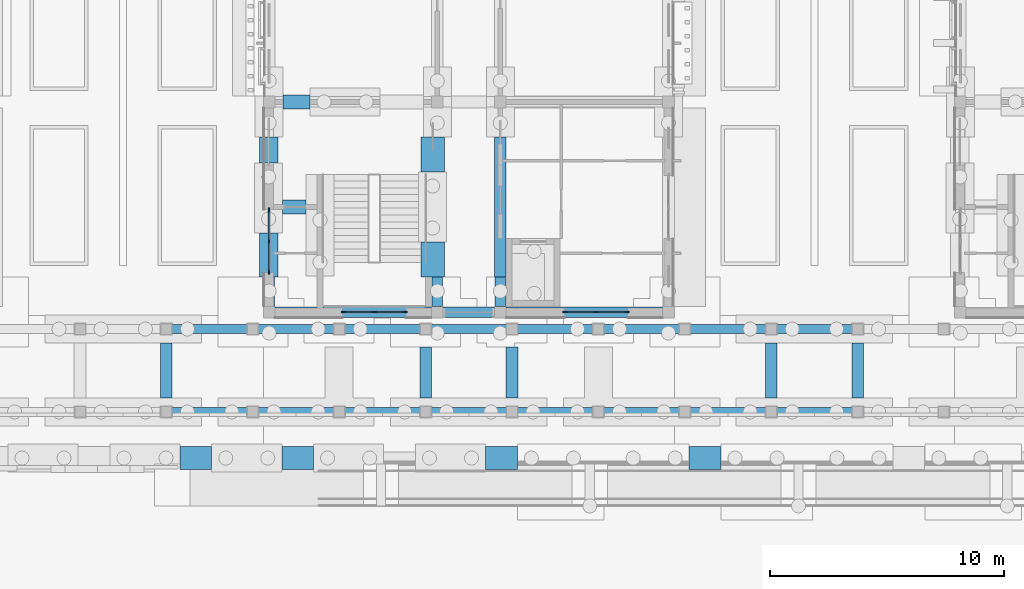
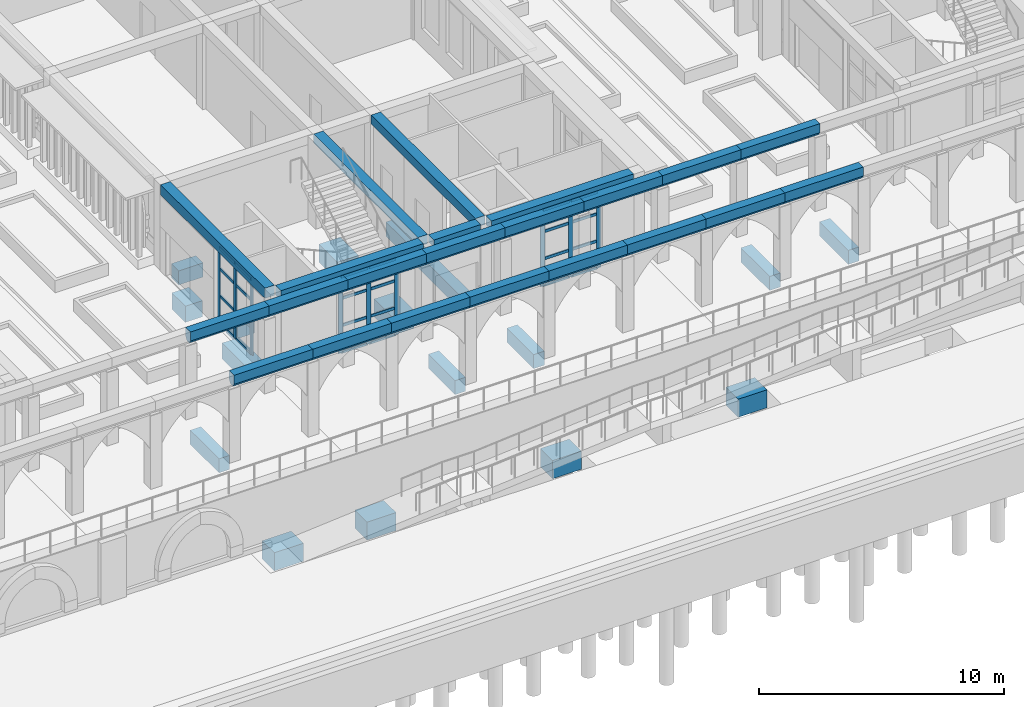
# One storey, part 31 of 161: 38 beams, 33 members, 3 elements without a shape of their own.
"""IFC4 building model written with IfcOpenShell, lengths in metres."""

from ifc_helpers import new_model, si_unit, direction, frame, origin, origin_2d, place, context, subcontext, project, spatial, polyline, rectangle, outline, extrude, material, layer, layer_set, material_profile, profile_set, type_object, element, aggregate, save


model = new_model("IFC4")

# Units and contexts
model_context = context("Model", 3, precision=1e-05, world=origin(), true_north=direction((0.0, 1.0)))
body_context = subcontext(model_context, "Body", "Model", "MODEL_VIEW")
ifc_project = project(units=[si_unit("LENGTHUNIT", "METRE"), si_unit("AREAUNIT", "SQUARE_METRE"), si_unit("VOLUMEUNIT", "CUBIC_METRE"), si_unit("PLANEANGLEUNIT", "RADIAN"), si_unit("MASSUNIT", "GRAM", prefix="KILO")], contexts=[model_context])

# Site, building, storey
site_placement = place(None, origin())
site = spatial("IfcSite", under=ifc_project, at=site_placement, CompositionType="ELEMENT")
building_placement = place(site_placement, origin())
building = spatial("IfcBuilding", under=site, at=building_placement, Name="Elbe Cascade School", CompositionType="ELEMENT")
storey_placement = place(building_placement, origin())
storey = spatial("IfcBuildingStorey", under=building, at=storey_placement, Name="L00", CompositionType="ELEMENT", Elevation=0.0)

# Curtain wall, members
ifc_material_1 = material(Name="Aluminium frame with double glazing, bronze anodised", Category="aluminium")
ifc_layer = layer(ifc_material_1, 0.199951171875)
ifc_layer_set = layer_set([ifc_layer], Name="Aluminium frame with double glazing, bronze anodised")
curtain_wall_type = type_object("IfcCurtainWallType", Name="Bars envelope Curtain wall, aluminium, bronze anodised, ground floor tall run", PredefinedType="NOTDEFINED", material=ifc_layer_set)
curtain_wall_1_placement = place(storey_placement, origin())
curtain_wall_1 = element("IfcCurtainWall", 1, at=curtain_wall_1_placement, inside=storey, type_object=curtain_wall_type, Name="Curtain wall CW3 C.L00.w1", PredefinedType="NOTDEFINED")
ifc_material_2 = material(Name="Aluminium mullion, bronze anodised", Category="aluminium")
ifc_material_profile_1 = material_profile(ifc_material_2, rectangle(XDim=0.06005859375, YDim=0.199951171875, at=origin_2d()), Name="Bars envelope Curtain wall mullion 60 x 200, aluminium, ground floor tall run")
ifc_profile_set_1 = profile_set([ifc_material_profile_1], Name="Aluminium mullion, bronze anodised")
member_type_1 = type_object("IfcMemberType", Name="Bars envelope Curtain wall mullion 60 x 200, aluminium, ground floor tall run", PredefinedType="MULLION", material=ifc_profile_set_1)
member_1_placement = place(storey_placement, frame((128.199951171875, 7.719970703125, 0.0), z_axis=(0.0, 0.0, 1.0), x_axis=(-1.0, 0.0, 0.0)))
member_1 = element("IfcMember", 2, at=member_1_placement, type_object=member_type_1, Name="CW3 mullion 1", PredefinedType="MULLION", context=body_context, shape_type="SweptSolid", body=[
    extrude(rectangle(XDim=0.06005859375, YDim=0.199951171875, at=origin_2d()), origin(), (0.0, 0.0, 1.0), 3.75),
])
member_2_placement = place(storey_placement, frame((128.199951171875, 9.0400390625, 0.0), z_axis=(0.0, 0.0, 1.0), x_axis=(-1.0, 0.0, 0.0)))
member_2 = element("IfcMember", 3, at=member_2_placement, type_object=member_type_1, Name="CW3 mullion 2", PredefinedType="MULLION", context=body_context, shape_type="SweptSolid", body=[
    extrude(rectangle(XDim=0.06005859375, YDim=0.199951171875, at=origin_2d()), origin(), (0.0, 0.0, 1.0), 3.75),
])
member_3_placement = place(storey_placement, frame((128.199951171875, 10.360107421875, 0.0), z_axis=(0.0, 0.0, 1.0), x_axis=(-1.0, 0.0, 0.0)))
member_3 = element("IfcMember", 4, at=member_3_placement, type_object=member_type_1, Name="CW3 mullion 3", PredefinedType="MULLION", context=body_context, shape_type="SweptSolid", body=[
    extrude(rectangle(XDim=0.06005859375, YDim=0.199951171875, at=origin_2d()), origin(), (0.0, 0.0, 1.0), 3.75),
])

curtain_wall_2_placement = place(storey_placement, origin())
curtain_wall_2 = element("IfcCurtainWall", 5, at=curtain_wall_2_placement, inside=storey, type_object=curtain_wall_type, Name="Curtain wall CW3 C.L00.s1", PredefinedType="NOTDEFINED")
member_4_placement = place(storey_placement, frame((134.02001953125, 6.0, 0.0), z_axis=(0.0, 0.0, 1.0), x_axis=(0.0, -1.0, 0.0)))
member_4 = element("IfcMember", 6, at=member_4_placement, type_object=member_type_1, Name="CW3 mullion 1", PredefinedType="MULLION", context=body_context, shape_type="SweptSolid", body=[
    extrude(rectangle(XDim=0.06005859375, YDim=0.199951171875, at=origin_2d()), origin(), (0.0, 0.0, 1.0), 3.800048828125),
])
member_5_placement = place(storey_placement, frame((132.699951171875, 6.0, 0.0), z_axis=(0.0, 0.0, 1.0), x_axis=(0.0, -1.0, 0.0)))
member_5 = element("IfcMember", 7, at=member_5_placement, type_object=member_type_1, Name="CW3 mullion 2", PredefinedType="MULLION", context=body_context, shape_type="SweptSolid", body=[
    extrude(rectangle(XDim=0.06005859375, YDim=0.199951171875, at=origin_2d()), origin(), (0.0, 0.0, 1.0), 3.800048828125),
])
member_6_placement = place(storey_placement, frame((131.3798828125, 6.0, 0.0), z_axis=(0.0, 0.0, 1.0), x_axis=(0.0, -1.0, 0.0)))
member_6 = element("IfcMember", 8, at=member_6_placement, type_object=member_type_1, Name="CW3 mullion 3", PredefinedType="MULLION", context=body_context, shape_type="SweptSolid", body=[
    extrude(rectangle(XDim=0.06005859375, YDim=0.199951171875, at=origin_2d()), origin(), (0.0, 0.0, 1.0), 3.800048828125),
])

curtain_wall_3_placement = place(storey_placement, origin())
curtain_wall_3 = element("IfcCurtainWall", 9, at=curtain_wall_3_placement, inside=storey, type_object=curtain_wall_type, Name="Curtain wall CW3 C.L00.s3", PredefinedType="NOTDEFINED")
member_7_placement = place(storey_placement, frame((143.52001953125, 6.0, 0.0), z_axis=(0.0, 0.0, 1.0), x_axis=(0.0, -1.0, 0.0)))
member_7 = element("IfcMember", 10, at=member_7_placement, type_object=member_type_1, Name="CW3 mullion 1", PredefinedType="MULLION", context=body_context, shape_type="SweptSolid", body=[
    extrude(rectangle(XDim=0.06005859375, YDim=0.199951171875, at=origin_2d()), origin(), (0.0, 0.0, 1.0), 3.800048828125),
])
member_8_placement = place(storey_placement, frame((142.199951171875, 6.0, 0.0), z_axis=(0.0, 0.0, 1.0), x_axis=(0.0, -1.0, 0.0)))
member_8 = element("IfcMember", 11, at=member_8_placement, type_object=member_type_1, Name="CW3 mullion 2", PredefinedType="MULLION", context=body_context, shape_type="SweptSolid", body=[
    extrude(rectangle(XDim=0.06005859375, YDim=0.199951171875, at=origin_2d()), origin(), (0.0, 0.0, 1.0), 3.800048828125),
])
member_9_placement = place(storey_placement, frame((140.8798828125, 6.0, 0.0), z_axis=(0.0, 0.0, 1.0), x_axis=(0.0, -1.0, 0.0)))
member_9 = element("IfcMember", 12, at=member_9_placement, type_object=member_type_1, Name="CW3 mullion 3", PredefinedType="MULLION", context=body_context, shape_type="SweptSolid", body=[
    extrude(rectangle(XDim=0.06005859375, YDim=0.199951171875, at=origin_2d()), origin(), (0.0, 0.0, 1.0), 3.800048828125),
])

# Member
ifc_material_3 = material(Name="Aluminium transom, bronze anodised", Category="aluminium")
ifc_material_profile_2 = material_profile(ifc_material_3, rectangle(XDim=0.06005859375, YDim=0.139892578125, at=origin_2d()), Name="Bars envelope Curtain wall transom 60 x 140, aluminium, ground floor tall run")
ifc_profile_set_2 = profile_set([ifc_material_profile_2], Name="Aluminium transom, bronze anodised")
member_type_2 = type_object("IfcMemberType", Name="Bars envelope Curtain wall transom 60 x 140, aluminium, ground floor tall run", PredefinedType="USERDEFINED", material=ifc_profile_set_2)
member_10_placement = place(storey_placement, frame((128.199951171875, 7.75, 0.030029296875), z_axis=(0.0, 1.0, 0.0), x_axis=(-1.0, 0.0, 0.0)))
member_10 = element("IfcMember", 13, at=member_10_placement, type_object=member_type_2, Name="CW3 transom 1.1", ObjectType="TRANSOM", PredefinedType="USERDEFINED", context=body_context, shape_type="SweptSolid", body=[
    extrude(rectangle(XDim=0.06005859375, YDim=0.139892578125, at=origin_2d()), origin(), (0.0, 0.0, 1.0), 1.260009765625),
])

member_11_placement = place(storey_placement, frame((128.199951171875, 7.75, 1.35009765625), z_axis=(0.0, 1.0, 0.0), x_axis=(-1.0, 0.0, 0.0)))
member_11 = element("IfcMember", 14, at=member_11_placement, type_object=member_type_2, Name="CW3 transom 1.2", ObjectType="TRANSOM", PredefinedType="USERDEFINED", context=body_context, shape_type="SweptSolid", body=[
    extrude(rectangle(XDim=0.06005859375, YDim=0.139892578125, at=origin_2d()), origin(), (0.0, 0.0, 1.0), 1.260009765625),
])

member_12_placement = place(storey_placement, frame((128.199951171875, 7.75, 2.699951171875), z_axis=(0.0, 1.0, 0.0), x_axis=(-1.0, 0.0, 0.0)))
member_12 = element("IfcMember", 15, at=member_12_placement, type_object=member_type_2, Name="CW3 transom 1.3", ObjectType="TRANSOM", PredefinedType="USERDEFINED", context=body_context, shape_type="SweptSolid", body=[
    extrude(rectangle(XDim=0.06005859375, YDim=0.139892578125, at=origin_2d()), origin(), (0.0, 0.0, 1.0), 1.260009765625),
])

member_13_placement = place(storey_placement, frame((128.199951171875, 7.75, 3.719970703125), z_axis=(0.0, 1.0, 0.0), x_axis=(-1.0, 0.0, 0.0)))
member_13 = element("IfcMember", 16, at=member_13_placement, type_object=member_type_2, Name="CW3 transom 1.4", ObjectType="TRANSOM", PredefinedType="USERDEFINED", context=body_context, shape_type="SweptSolid", body=[
    extrude(rectangle(XDim=0.06005859375, YDim=0.139892578125, at=origin_2d()), origin(), (0.0, 0.0, 1.0), 1.260009765625),
])

member_14_placement = place(storey_placement, frame((128.199951171875, 9.070068359375, 0.030029296875), z_axis=(0.0, 1.0, 0.0), x_axis=(-1.0, 0.0, 0.0)))
member_14 = element("IfcMember", 17, at=member_14_placement, type_object=member_type_2, Name="CW3 transom 2.1", ObjectType="TRANSOM", PredefinedType="USERDEFINED", context=body_context, shape_type="SweptSolid", body=[
    extrude(rectangle(XDim=0.06005859375, YDim=0.139892578125, at=origin_2d()), origin(), (0.0, 0.0, 1.0), 1.260009765625),
])

member_15_placement = place(storey_placement, frame((128.199951171875, 9.070068359375, 1.35009765625), z_axis=(0.0, 1.0, 0.0), x_axis=(-1.0, 0.0, 0.0)))
member_15 = element("IfcMember", 18, at=member_15_placement, type_object=member_type_2, Name="CW3 transom 2.2", ObjectType="TRANSOM", PredefinedType="USERDEFINED", context=body_context, shape_type="SweptSolid", body=[
    extrude(rectangle(XDim=0.06005859375, YDim=0.139892578125, at=origin_2d()), origin(), (0.0, 0.0, 1.0), 1.260009765625),
])

member_16_placement = place(storey_placement, frame((128.199951171875, 9.070068359375, 2.699951171875), z_axis=(0.0, 1.0, 0.0), x_axis=(-1.0, 0.0, 0.0)))
member_16 = element("IfcMember", 19, at=member_16_placement, type_object=member_type_2, Name="CW3 transom 2.3", ObjectType="TRANSOM", PredefinedType="USERDEFINED", context=body_context, shape_type="SweptSolid", body=[
    extrude(rectangle(XDim=0.06005859375, YDim=0.139892578125, at=origin_2d()), origin(), (0.0, 0.0, 1.0), 1.260009765625),
])

member_17_placement = place(storey_placement, frame((128.199951171875, 9.070068359375, 3.719970703125), z_axis=(0.0, 1.0, 0.0), x_axis=(-1.0, 0.0, 0.0)))
member_17 = element("IfcMember", 20, at=member_17_placement, type_object=member_type_2, Name="CW3 transom 2.4", ObjectType="TRANSOM", PredefinedType="USERDEFINED", context=body_context, shape_type="SweptSolid", body=[
    extrude(rectangle(XDim=0.06005859375, YDim=0.139892578125, at=origin_2d()), origin(), (0.0, 0.0, 1.0), 1.260009765625),
])

aggregate(curtain_wall_1, [member_1, member_2, member_3, member_10, member_11, member_12, member_13, member_14, member_15, member_16, member_17])

member_18_placement = place(storey_placement, frame((133.989990234375, 6.0, 0.030029296875), z_axis=(-1.0, 0.0, 0.0), x_axis=(0.0, -1.0, 0.0)))
member_18 = element("IfcMember", 21, at=member_18_placement, type_object=member_type_2, Name="CW3 transom 1.1", ObjectType="TRANSOM", PredefinedType="USERDEFINED", context=body_context, shape_type="SweptSolid", body=[
    extrude(rectangle(XDim=0.06005859375, YDim=0.139892578125, at=origin_2d()), origin(), (0.0, 0.0, 1.0), 1.260009765625),
])

member_19_placement = place(storey_placement, frame((133.989990234375, 6.0, 1.35009765625), z_axis=(-1.0, 0.0, 0.0), x_axis=(0.0, -1.0, 0.0)))
member_19 = element("IfcMember", 22, at=member_19_placement, type_object=member_type_2, Name="CW3 transom 1.2", ObjectType="TRANSOM", PredefinedType="USERDEFINED", context=body_context, shape_type="SweptSolid", body=[
    extrude(rectangle(XDim=0.06005859375, YDim=0.139892578125, at=origin_2d()), origin(), (0.0, 0.0, 1.0), 1.260009765625),
])

member_20_placement = place(storey_placement, frame((133.989990234375, 6.0, 2.699951171875), z_axis=(-1.0, 0.0, 0.0), x_axis=(0.0, -1.0, 0.0)))
member_20 = element("IfcMember", 23, at=member_20_placement, type_object=member_type_2, Name="CW3 transom 1.3", ObjectType="TRANSOM", PredefinedType="USERDEFINED", context=body_context, shape_type="SweptSolid", body=[
    extrude(rectangle(XDim=0.06005859375, YDim=0.139892578125, at=origin_2d()), origin(), (0.0, 0.0, 1.0), 1.260009765625),
])

member_21_placement = place(storey_placement, frame((133.989990234375, 6.0, 3.77001953125), z_axis=(-1.0, 0.0, 0.0), x_axis=(0.0, -1.0, 0.0)))
member_21 = element("IfcMember", 24, at=member_21_placement, type_object=member_type_2, Name="CW3 transom 1.4", ObjectType="TRANSOM", PredefinedType="USERDEFINED", context=body_context, shape_type="SweptSolid", body=[
    extrude(rectangle(XDim=0.06005859375, YDim=0.139892578125, at=origin_2d()), origin(), (0.0, 0.0, 1.0), 1.260009765625),
])

member_22_placement = place(storey_placement, frame((132.669921875, 6.0, 0.030029296875), z_axis=(-1.0, 0.0, 0.0), x_axis=(0.0, -1.0, 0.0)))
member_22 = element("IfcMember", 25, at=member_22_placement, type_object=member_type_2, Name="CW3 transom 2.1", ObjectType="TRANSOM", PredefinedType="USERDEFINED", context=body_context, shape_type="SweptSolid", body=[
    extrude(rectangle(XDim=0.06005859375, YDim=0.139892578125, at=origin_2d()), origin(), (0.0, 0.0, 1.0), 1.260009765625),
])

member_23_placement = place(storey_placement, frame((132.669921875, 6.0, 1.35009765625), z_axis=(-1.0, 0.0, 0.0), x_axis=(0.0, -1.0, 0.0)))
member_23 = element("IfcMember", 26, at=member_23_placement, type_object=member_type_2, Name="CW3 transom 2.2", ObjectType="TRANSOM", PredefinedType="USERDEFINED", context=body_context, shape_type="SweptSolid", body=[
    extrude(rectangle(XDim=0.06005859375, YDim=0.139892578125, at=origin_2d()), origin(), (0.0, 0.0, 1.0), 1.260009765625),
])

member_24_placement = place(storey_placement, frame((132.669921875, 6.0, 2.699951171875), z_axis=(-1.0, 0.0, 0.0), x_axis=(0.0, -1.0, 0.0)))
member_24 = element("IfcMember", 27, at=member_24_placement, type_object=member_type_2, Name="CW3 transom 2.3", ObjectType="TRANSOM", PredefinedType="USERDEFINED", context=body_context, shape_type="SweptSolid", body=[
    extrude(rectangle(XDim=0.06005859375, YDim=0.139892578125, at=origin_2d()), origin(), (0.0, 0.0, 1.0), 1.260009765625),
])

member_25_placement = place(storey_placement, frame((132.669921875, 6.0, 3.77001953125), z_axis=(-1.0, 0.0, 0.0), x_axis=(0.0, -1.0, 0.0)))
member_25 = element("IfcMember", 28, at=member_25_placement, type_object=member_type_2, Name="CW3 transom 2.4", ObjectType="TRANSOM", PredefinedType="USERDEFINED", context=body_context, shape_type="SweptSolid", body=[
    extrude(rectangle(XDim=0.06005859375, YDim=0.139892578125, at=origin_2d()), origin(), (0.0, 0.0, 1.0), 1.260009765625),
])

aggregate(curtain_wall_2, [member_4, member_5, member_6, member_18, member_19, member_20, member_21, member_22, member_23, member_24, member_25])

member_26_placement = place(storey_placement, frame((143.489990234375, 6.0, 0.030029296875), z_axis=(-1.0, 0.0, 0.0), x_axis=(0.0, -1.0, 0.0)))
member_26 = element("IfcMember", 29, at=member_26_placement, type_object=member_type_2, Name="CW3 transom 1.1", ObjectType="TRANSOM", PredefinedType="USERDEFINED", context=body_context, shape_type="SweptSolid", body=[
    extrude(rectangle(XDim=0.06005859375, YDim=0.139892578125, at=origin_2d()), origin(), (0.0, 0.0, 1.0), 1.260009765625),
])

member_27_placement = place(storey_placement, frame((143.489990234375, 6.0, 1.35009765625), z_axis=(-1.0, 0.0, 0.0), x_axis=(0.0, -1.0, 0.0)))
member_27 = element("IfcMember", 30, at=member_27_placement, type_object=member_type_2, Name="CW3 transom 1.2", ObjectType="TRANSOM", PredefinedType="USERDEFINED", context=body_context, shape_type="SweptSolid", body=[
    extrude(rectangle(XDim=0.06005859375, YDim=0.139892578125, at=origin_2d()), origin(), (0.0, 0.0, 1.0), 1.260009765625),
])

member_28_placement = place(storey_placement, frame((143.489990234375, 6.0, 2.699951171875), z_axis=(-1.0, 0.0, 0.0), x_axis=(0.0, -1.0, 0.0)))
member_28 = element("IfcMember", 31, at=member_28_placement, type_object=member_type_2, Name="CW3 transom 1.3", ObjectType="TRANSOM", PredefinedType="USERDEFINED", context=body_context, shape_type="SweptSolid", body=[
    extrude(rectangle(XDim=0.06005859375, YDim=0.139892578125, at=origin_2d()), origin(), (0.0, 0.0, 1.0), 1.260009765625),
])

member_29_placement = place(storey_placement, frame((143.489990234375, 6.0, 3.77001953125), z_axis=(-1.0, 0.0, 0.0), x_axis=(0.0, -1.0, 0.0)))
member_29 = element("IfcMember", 32, at=member_29_placement, type_object=member_type_2, Name="CW3 transom 1.4", ObjectType="TRANSOM", PredefinedType="USERDEFINED", context=body_context, shape_type="SweptSolid", body=[
    extrude(rectangle(XDim=0.06005859375, YDim=0.139892578125, at=origin_2d()), origin(), (0.0, 0.0, 1.0), 1.260009765625),
])

member_30_placement = place(storey_placement, frame((142.169921875, 6.0, 0.030029296875), z_axis=(-1.0, 0.0, 0.0), x_axis=(0.0, -1.0, 0.0)))
member_30 = element("IfcMember", 33, at=member_30_placement, type_object=member_type_2, Name="CW3 transom 2.1", ObjectType="TRANSOM", PredefinedType="USERDEFINED", context=body_context, shape_type="SweptSolid", body=[
    extrude(rectangle(XDim=0.06005859375, YDim=0.139892578125, at=origin_2d()), origin(), (0.0, 0.0, 1.0), 1.260009765625),
])

member_31_placement = place(storey_placement, frame((142.169921875, 6.0, 1.35009765625), z_axis=(-1.0, 0.0, 0.0), x_axis=(0.0, -1.0, 0.0)))
member_31 = element("IfcMember", 34, at=member_31_placement, type_object=member_type_2, Name="CW3 transom 2.2", ObjectType="TRANSOM", PredefinedType="USERDEFINED", context=body_context, shape_type="SweptSolid", body=[
    extrude(rectangle(XDim=0.06005859375, YDim=0.139892578125, at=origin_2d()), origin(), (0.0, 0.0, 1.0), 1.260009765625),
])

member_32_placement = place(storey_placement, frame((142.169921875, 6.0, 2.699951171875), z_axis=(-1.0, 0.0, 0.0), x_axis=(0.0, -1.0, 0.0)))
member_32 = element("IfcMember", 35, at=member_32_placement, type_object=member_type_2, Name="CW3 transom 2.3", ObjectType="TRANSOM", PredefinedType="USERDEFINED", context=body_context, shape_type="SweptSolid", body=[
    extrude(rectangle(XDim=0.06005859375, YDim=0.139892578125, at=origin_2d()), origin(), (0.0, 0.0, 1.0), 1.260009765625),
])

member_33_placement = place(storey_placement, frame((142.169921875, 6.0, 3.77001953125), z_axis=(-1.0, 0.0, 0.0), x_axis=(0.0, -1.0, 0.0)))
member_33 = element("IfcMember", 36, at=member_33_placement, type_object=member_type_2, Name="CW3 transom 2.4", ObjectType="TRANSOM", PredefinedType="USERDEFINED", context=body_context, shape_type="SweptSolid", body=[
    extrude(rectangle(XDim=0.06005859375, YDim=0.139892578125, at=origin_2d()), origin(), (0.0, 0.0, 1.0), 1.260009765625),
])

aggregate(curtain_wall_3, [member_7, member_8, member_9, member_26, member_27, member_28, member_29, member_30, member_31, member_32, member_33])

# Beams
ifc_material_4 = material(Name="Concrete C35/45", Category="concrete")
ifc_material_profile_3 = material_profile(ifc_material_4, outline(polyline([(-0.199951171875, 0.300048828125), (0.199951171875, 0.300048828125), (0.199951171875, -0.14990234375), (0.10009765625, -0.300048828125), (-0.10009765625, -0.300048828125), (-0.199951171875, -0.14990234375), (-0.199951171875, 0.300048828125)])), Name="RC arch 400x600")
ifc_profile_set_3 = profile_set([ifc_material_profile_3], Name="Concrete C35/45")
beam_type_1 = type_object("IfcBeamType", Name="Colonnade arch beam 400x600", PredefinedType="USERDEFINED", material=ifc_profile_set_3)
for number, where, z_axis, x_axis, name in (
    (37, (123.800048828125, 1.72509765625, 3.949951171875), (1.0, 0.0, 0.0), (0.0, 1.0, 0.0), "Colonnade arch beam F32"),
    (38, (127.5, 1.72509765625, 3.949951171875), (1.0, 0.0, 0.0), (0.0, 1.0, 0.0), "Colonnade arch beam F33"),
    (39, (131.199951171875, 1.72509765625, 3.949951171875), (1.0, 0.0, 0.0), (0.0, 1.0, 0.0), "Colonnade arch beam F34"),
):
    element("IfcBeam", number, at=place(storey_placement, frame(where, z_axis=z_axis, x_axis=x_axis)), inside=storey, type_object=beam_type_1, Name=name, ObjectType="ARCH", PredefinedType="USERDEFINED", context=body_context, shape_type="SweptSolid", body=[
        extrude(outline(polyline([(-0.199951171875, 0.300048828125), (0.199951171875, 0.300048828125), (0.199951171875, -0.14990234375), (0.10009765625, -0.300048828125), (-0.10009765625, -0.300048828125), (-0.199951171875, -0.14990234375), (-0.199951171875, 0.300048828125)])), origin(), (0.0, 0.0, 1.0), 3.699951171875),
    ])
beam_1_placement = place(storey_placement, frame((134.89990234375, 1.72509765625, 3.949951171875), z_axis=(1.0, 0.0, 0.0), x_axis=(0.0, 1.0, 0.0)))
element("IfcBeam", 40, at=beam_1_placement, inside=storey, type_object=beam_type_1, Name="Colonnade arch beam F35", ObjectType="ARCH", PredefinedType="USERDEFINED", context=body_context, shape_type="SweptSolid", body=[
    extrude(outline(polyline([(-0.199951171875, 0.300048828125), (0.199951171875, 0.300048828125), (0.199951171875, -0.14990234375), (0.10009765625, -0.300048828125), (-0.10009765625, -0.300048828125), (-0.199951171875, -0.14990234375), (-0.199951171875, 0.300048828125)])), origin(), (0.0, 0.0, 1.0), 3.7001953125),
])
for number, where, z_axis, x_axis, name in (
    (41, (138.60009765625, 1.72509765625, 3.949951171875), (1.0, 0.0, 0.0), (0.0, 1.0, 0.0), "Colonnade arch beam F36"),
    (42, (142.300048828125, 1.72509765625, 3.949951171875), (1.0, 0.0, 0.0), (0.0, 1.0, 0.0), "Colonnade arch beam F37"),
    (43, (146.0, 1.72509765625, 3.949951171875), (1.0, 0.0, 0.0), (0.0, 1.0, 0.0), "Colonnade arch beam F38"),
    (44, (149.699951171875, 1.72509765625, 3.949951171875), (1.0, 0.0, 0.0), (0.0, 1.0, 0.0), "Colonnade arch beam F39"),
    (45, (123.800048828125, 5.27490234375, 3.949951171875), (1.0, 0.0, 0.0), (0.0, 1.0, 0.0), "Colonnade arch beam R32"),
    (46, (127.5, 5.27490234375, 3.949951171875), (1.0, 0.0, 0.0), (0.0, 1.0, 0.0), "Colonnade arch beam R33"),
    (47, (131.199951171875, 5.27490234375, 3.949951171875), (1.0, 0.0, 0.0), (0.0, 1.0, 0.0), "Colonnade arch beam R34"),
):
    element("IfcBeam", number, at=place(storey_placement, frame(where, z_axis=z_axis, x_axis=x_axis)), inside=storey, type_object=beam_type_1, Name=name, ObjectType="ARCH", PredefinedType="USERDEFINED", context=body_context, shape_type="SweptSolid", body=[
        extrude(outline(polyline([(-0.199951171875, 0.300048828125), (0.199951171875, 0.300048828125), (0.199951171875, -0.14990234375), (0.10009765625, -0.300048828125), (-0.10009765625, -0.300048828125), (-0.199951171875, -0.14990234375), (-0.199951171875, 0.300048828125)])), origin(), (0.0, 0.0, 1.0), 3.699951171875),
    ])
beam_2_placement = place(storey_placement, frame((134.89990234375, 5.27490234375, 3.949951171875), z_axis=(1.0, 0.0, 0.0), x_axis=(0.0, 1.0, 0.0)))
element("IfcBeam", 48, at=beam_2_placement, inside=storey, type_object=beam_type_1, Name="Colonnade arch beam R35", ObjectType="ARCH", PredefinedType="USERDEFINED", context=body_context, shape_type="SweptSolid", body=[
    extrude(outline(polyline([(-0.199951171875, 0.300048828125), (0.199951171875, 0.300048828125), (0.199951171875, -0.14990234375), (0.10009765625, -0.300048828125), (-0.10009765625, -0.300048828125), (-0.199951171875, -0.14990234375), (-0.199951171875, 0.300048828125)])), origin(), (0.0, 0.0, 1.0), 3.7001953125),
])
for number, where, z_axis, x_axis, name in (
    (49, (138.60009765625, 5.27490234375, 3.949951171875), (1.0, 0.0, 0.0), (0.0, 1.0, 0.0), "Colonnade arch beam R36"),
    (50, (142.300048828125, 5.27490234375, 3.949951171875), (1.0, 0.0, 0.0), (0.0, 1.0, 0.0), "Colonnade arch beam R37"),
    (51, (146.0, 5.27490234375, 3.949951171875), (1.0, 0.0, 0.0), (0.0, 1.0, 0.0), "Colonnade arch beam R38"),
    (52, (149.699951171875, 5.27490234375, 3.949951171875), (1.0, 0.0, 0.0), (0.0, 1.0, 0.0), "Colonnade arch beam R39"),
):
    element("IfcBeam", number, at=place(storey_placement, frame(where, z_axis=z_axis, x_axis=x_axis)), inside=storey, type_object=beam_type_1, Name=name, ObjectType="ARCH", PredefinedType="USERDEFINED", context=body_context, shape_type="SweptSolid", body=[
        extrude(outline(polyline([(-0.199951171875, 0.300048828125), (0.199951171875, 0.300048828125), (0.199951171875, -0.14990234375), (0.10009765625, -0.300048828125), (-0.10009765625, -0.300048828125), (-0.199951171875, -0.14990234375), (-0.199951171875, 0.300048828125)])), origin(), (0.0, 0.0, 1.0), 3.699951171875),
    ])
ifc_material_5 = material(Name="Concrete C30/37", Category="concrete")
ifc_material_profile_4 = material_profile(ifc_material_5, rectangle(XDim=1.0, YDim=0.89990234375, at=origin_2d()), Name="RC 1000x900")
ifc_profile_set_4 = profile_set([ifc_material_profile_4], Name="Concrete C30/37")
beam_type_2 = type_object("IfcBeamType", Name="Found ground beam RC 1000x900", PredefinedType="BEAM", material=ifc_profile_set_4)
for number, where, z_axis, x_axis, name in (
    (53, (124.37939453125, -0.25, -3.85009765625), (1.0, 0.0, 0.0), (0.0, 1.0, 0.0), "Ground beam 019"),
    (54, (128.741455078125, -0.25, -3.85009765625), (1.0, 0.0, 0.0), (0.0, 1.0, 0.0), "Ground beam 020"),
    (55, (137.465576171875, -0.25, -3.85009765625), (1.0, 0.0, 0.0), (0.0, 1.0, 0.0), "Ground beam 021"),
    (56, (146.189697265625, -0.25, -3.85009765625), (1.0, 0.0, 0.0), (0.0, 1.0, 0.0), "Ground beam 022"),
):
    element("IfcBeam", number, at=place(storey_placement, frame(where, z_axis=z_axis, x_axis=x_axis)), inside=storey, type_object=beam_type_2, Name=name, PredefinedType="BEAM", context=body_context, shape_type="SweptSolid", body=[
        extrude(rectangle(XDim=1.0, YDim=0.89990234375, at=origin_2d()), origin(), (0.0, 0.0, 1.0), 1.362060546875),
    ])
for number, where, z_axis, x_axis, name in (
    (57, (135.199951171875, 7.5, -0.75), (0.0, 1.0, 0.0), (-1.0, 0.0, 0.0), "Ground beam 046"),
    (58, (135.199951171875, 12.0, -0.75), (0.0, 1.0, 0.0), (-1.0, 0.0, 0.0), "Ground beam 047"),
):
    element("IfcBeam", number, at=place(storey_placement, frame(where, z_axis=z_axis, x_axis=x_axis)), inside=storey, type_object=beam_type_2, Name=name, PredefinedType="BEAM", context=body_context, shape_type="SweptSolid", body=[
        extrude(rectangle(XDim=1.0, YDim=0.89990234375, at=origin_2d()), origin(), (0.0, 0.0, 1.0), 1.5),
    ])
ifc_material_6 = material(Name="Concrete C30/37", Category="concrete")
ifc_material_profile_5 = material_profile(ifc_material_6, rectangle(XDim=0.5, YDim=0.699951171875, at=origin_2d()), Name="RC 500x700")
ifc_profile_set_5 = profile_set([ifc_material_profile_5], Name="Concrete C30/37")
beam_type_3 = type_object("IfcBeamType", Name="Found ground beam RC 500x700", PredefinedType="BEAM", material=ifc_profile_set_5)
beam_3_placement = place(storey_placement, frame((138.10009765625, 7.5, -0.64990234375), z_axis=(0.0, 1.0, 0.0), x_axis=(-1.0, 0.0, 0.0)))
element("IfcBeam", 59, at=beam_3_placement, inside=storey, type_object=beam_type_3, Name="Ground beam 274", PredefinedType="BEAM", context=body_context, shape_type="SweptSolid", body=[
    extrude(rectangle(XDim=0.5, YDim=0.699951171875, at=origin_2d()), origin(), (0.0, 0.0, 1.0), 6.0),
])
beam_4_placement = place(storey_placement, frame((123.800048828125, 2.324951171875, -0.64990234375), z_axis=(0.0, 1.0, 0.0), x_axis=(-1.0, 0.0, 0.0)))
element("IfcBeam", 60, at=beam_4_placement, inside=storey, type_object=beam_type_3, Name="Ground beam 401", PredefinedType="BEAM", context=body_context, shape_type="SweptSolid", body=[
    extrude(rectangle(XDim=0.5, YDim=0.699951171875, at=origin_2d()), origin(), (0.0, 0.0, 1.0), 2.35009765625),
])
for number, where, z_axis, x_axis, name in (
    (61, (134.89990234375, 2.324951171875, -0.64990234375), (0.0, 1.0, 0.0), (-1.0, 0.0, 0.0), "Ground beam 402"),
    (62, (138.60009765625, 2.324951171875, -0.64990234375), (0.0, 1.0, 0.0), (-1.0, 0.0, 0.0), "Ground beam 403"),
):
    element("IfcBeam", number, at=place(storey_placement, frame(where, z_axis=z_axis, x_axis=x_axis)), inside=storey, type_object=beam_type_3, Name=name, PredefinedType="BEAM", context=body_context, shape_type="SweptSolid", body=[
        extrude(rectangle(XDim=0.5, YDim=0.699951171875, at=origin_2d()), origin(), (0.0, 0.0, 1.0), 2.175048828125),
    ])
for number, where, z_axis, x_axis, name in (
    (63, (149.699951171875, 2.324951171875, -0.64990234375), (0.0, 1.0, 0.0), (-1.0, 0.0, 0.0), "Ground beam 404"),
    (64, (153.39990234375, 2.324951171875, -0.64990234375), (0.0, 1.0, 0.0), (-1.0, 0.0, 0.0), "Ground beam 405"),
):
    element("IfcBeam", number, at=place(storey_placement, frame(where, z_axis=z_axis, x_axis=x_axis)), inside=storey, type_object=beam_type_3, Name=name, PredefinedType="BEAM", context=body_context, shape_type="SweptSolid", body=[
        extrude(rectangle(XDim=0.5, YDim=0.699951171875, at=origin_2d()), origin(), (0.0, 0.0, 1.0), 2.35009765625),
    ])
ifc_material_7 = material(Name="Concrete C30/37", Category="concrete")
ifc_material_profile_6 = material_profile(ifc_material_7, rectangle(XDim=0.60009765625, YDim=0.699951171875, at=origin_2d()), Name="RC 600x700")
ifc_profile_set_6 = profile_set([ifc_material_profile_6], Name="Concrete C30/37")
beam_type_4 = type_object("IfcBeamType", Name="Found ground beam RC 600x700", PredefinedType="BEAM", material=ifc_profile_set_6)
beam_5_placement = place(storey_placement, frame((128.800048828125, 15.0, -0.64990234375), z_axis=(1.0, 0.0, 0.0), x_axis=(0.0, 1.0, 0.0)))
element("IfcBeam", 65, at=beam_5_placement, inside=storey, type_object=beam_type_4, Name="Ground beam 140", PredefinedType="BEAM", context=body_context, shape_type="SweptSolid", body=[
    extrude(rectangle(XDim=0.60009765625, YDim=0.699951171875, at=origin_2d()), origin(), (0.0, 0.0, 1.0), 1.14990234375),
])
beam_6_placement = place(storey_placement, frame((128.780029296875, 10.5, -0.64990234375), z_axis=(1.0, 0.0, 0.0), x_axis=(0.0, 1.0, 0.0)))
element("IfcBeam", 66, at=beam_6_placement, inside=storey, type_object=beam_type_4, Name="Ground beam 170", PredefinedType="BEAM", context=body_context, shape_type="SweptSolid", body=[
    extrude(rectangle(XDim=0.60009765625, YDim=0.699951171875, at=origin_2d()), origin(), (0.0, 0.0, 1.0), 0.994873046875),
])
ifc_material_8 = material(Name="Concrete C30/37", Category="concrete")
ifc_material_profile_7 = material_profile(ifc_material_8, rectangle(XDim=0.800048828125, YDim=0.800048828125, at=origin_2d()), Name="RC 800x800")
ifc_profile_set_7 = profile_set([ifc_material_profile_7], Name="Concrete C30/37")
beam_type_5 = type_object("IfcBeamType", Name="Found ground beam RC 800x800", PredefinedType="BEAM", material=ifc_profile_set_7)
beam_7_placement = place(storey_placement, frame((128.179931640625, 7.5, -0.699951171875), z_axis=(0.0, 1.0, 0.0), x_axis=(-1.0, 0.0, 0.0)))
element("IfcBeam", 67, at=beam_7_placement, inside=storey, type_object=beam_type_5, Name="Ground beam 072", PredefinedType="BEAM", context=body_context, shape_type="SweptSolid", body=[
    extrude(rectangle(XDim=0.800048828125, YDim=0.800048828125, at=origin_2d()), origin(), (0.0, 0.0, 1.0), 1.889892578125),
])
beam_8_placement = place(storey_placement, frame((128.179931640625, 12.389892578125, -0.699951171875), z_axis=(0.0, 1.0, 0.0), x_axis=(-1.0, 0.0, 0.0)))
element("IfcBeam", 68, at=beam_8_placement, inside=storey, type_object=beam_type_5, Name="Ground beam 073", PredefinedType="BEAM", context=body_context, shape_type="SweptSolid", body=[
    extrude(rectangle(XDim=0.800048828125, YDim=0.800048828125, at=origin_2d()), origin(), (0.0, 0.0, 1.0), 1.110107421875),
])
ifc_material_9 = material(Name="Concrete C30/37", Category="concrete")
ifc_material_profile_8 = material_profile(ifc_material_9, rectangle(XDim=0.449951171875, YDim=0.35009765625, at=origin_2d()), Name="RC 450x350")
ifc_profile_set_8 = profile_set([ifc_material_profile_8], Name="Concrete C30/37")
beam_type_6 = type_object("IfcBeamType", Name="RC 450x350 beam", PredefinedType="BEAM", material=ifc_profile_set_8)
beam_9_placement = place(storey_placement, frame((135.64990234375, 6.0, 4.074951171875), z_axis=(1.0, 0.0, 0.0), x_axis=(0.0, 1.0, 0.0)))
element("IfcBeam", 69, at=beam_9_placement, inside=storey, type_object=beam_type_6, Name="RC 450x350 beam B11", PredefinedType="BEAM", context=body_context, shape_type="SweptSolid", body=[
    extrude(rectangle(XDim=0.449951171875, YDim=0.35009765625, at=origin_2d()), origin(), (0.0, 0.0, 1.0), 2.2001953125),
])
ifc_material_10 = material(Name="Concrete C30/37", Category="concrete")
ifc_material_profile_9 = material_profile(ifc_material_10, rectangle(XDim=0.449951171875, YDim=0.449951171875, at=origin_2d()), Name="RC 450x450")
ifc_profile_set_9 = profile_set([ifc_material_profile_9], Name="Concrete C30/37")
beam_type_7 = type_object("IfcBeamType", Name="RC 450x450 beam", PredefinedType="BEAM", material=ifc_profile_set_9)
for number, where, z_axis, x_axis, name in (
    (70, (135.39990234375, 6.25, 4.02490234375), (0.0, 1.0, 0.0), (-1.0, 0.0, 0.0), "RC 450x450 beam B10"),
    (71, (138.10009765625, 6.25, 4.02490234375), (0.0, 1.0, 0.0), (-1.0, 0.0, 0.0), "RC 450x450 beam B10"),
):
    element("IfcBeam", number, at=place(storey_placement, frame(where, z_axis=z_axis, x_axis=x_axis)), inside=storey, type_object=beam_type_7, Name=name, PredefinedType="BEAM", context=body_context, shape_type="SweptSolid", body=[
        extrude(rectangle(XDim=0.449951171875, YDim=0.449951171875, at=origin_2d()), origin(), (0.0, 0.0, 1.0), 8.5),
    ])
for number, where, z_axis, x_axis, name in (
    (72, (128.449951171875, 6.0, 4.02490234375), (1.0, 0.0, 0.0), (0.0, 1.0, 0.0), "RC 450x450 beam B10"),
    (73, (138.35009765625, 6.0, 4.02490234375), (1.0, 0.0, 0.0), (0.0, 1.0, 0.0), "RC 450x450 beam B10"),
):
    element("IfcBeam", number, at=place(storey_placement, frame(where, z_axis=z_axis, x_axis=x_axis)), inside=storey, type_object=beam_type_7, Name=name, PredefinedType="BEAM", context=body_context, shape_type="SweptSolid", body=[
        extrude(rectangle(XDim=0.449951171875, YDim=0.449951171875, at=origin_2d()), origin(), (0.0, 0.0, 1.0), 6.699951171875),
    ])
ifc_material_11 = material(Name="Concrete C30/37", Category="concrete")
ifc_material_profile_10 = material_profile(ifc_material_11, rectangle(XDim=0.449951171875, YDim=0.5, at=origin_2d()), Name="RC 450x500")
ifc_profile_set_10 = profile_set([ifc_material_profile_10], Name="Concrete C30/37")
beam_type_8 = type_object("IfcBeamType", Name="RC 450x500 beam", PredefinedType="BEAM", material=ifc_profile_set_10)
beam_10_placement = place(storey_placement, frame((128.199951171875, 6.25, 4.0), z_axis=(0.0, 1.0, 0.0), x_axis=(-1.0, 0.0, 0.0)))
element("IfcBeam", 74, at=beam_10_placement, inside=storey, type_object=beam_type_8, Name="RC 450x500 beam B9", PredefinedType="BEAM", context=body_context, shape_type="SweptSolid", body=[
    extrude(rectangle(XDim=0.449951171875, YDim=0.5, at=origin_2d()), origin(), (0.0, 0.0, 1.0), 8.5),
])

save(model, "model.ifc")
